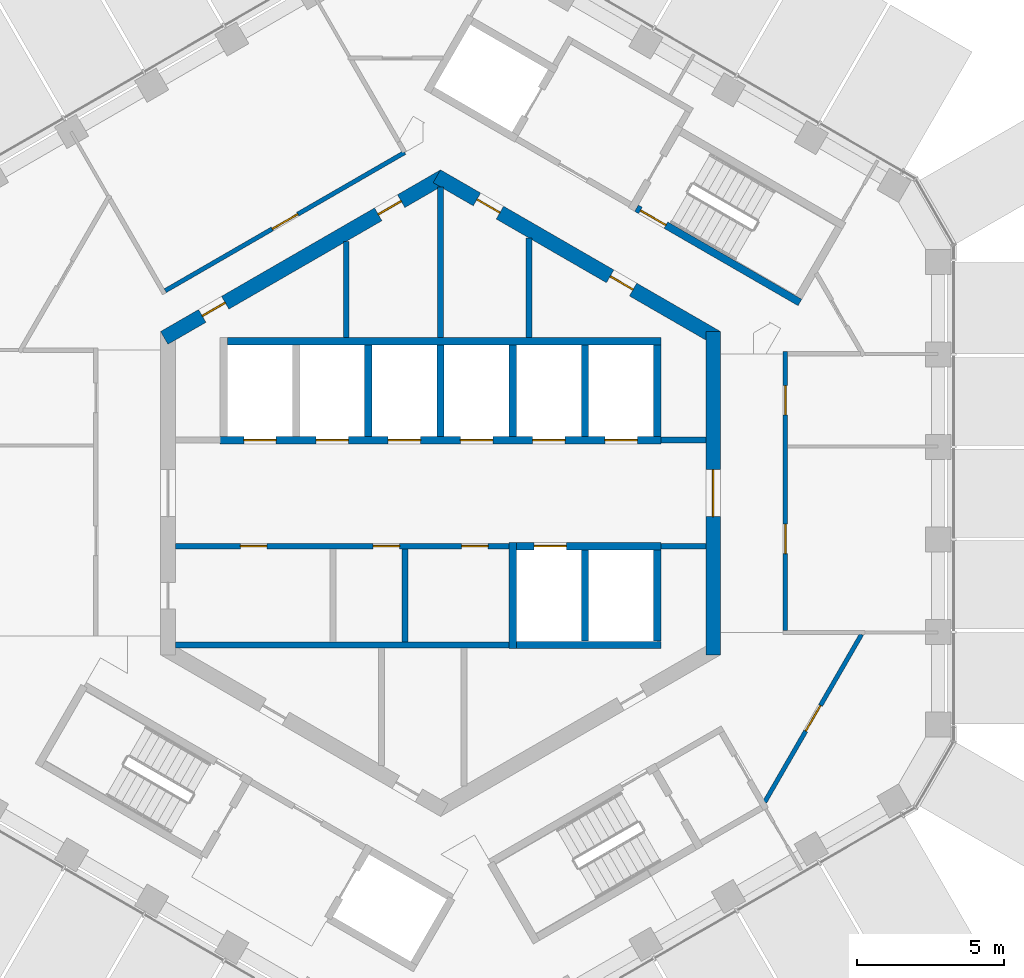
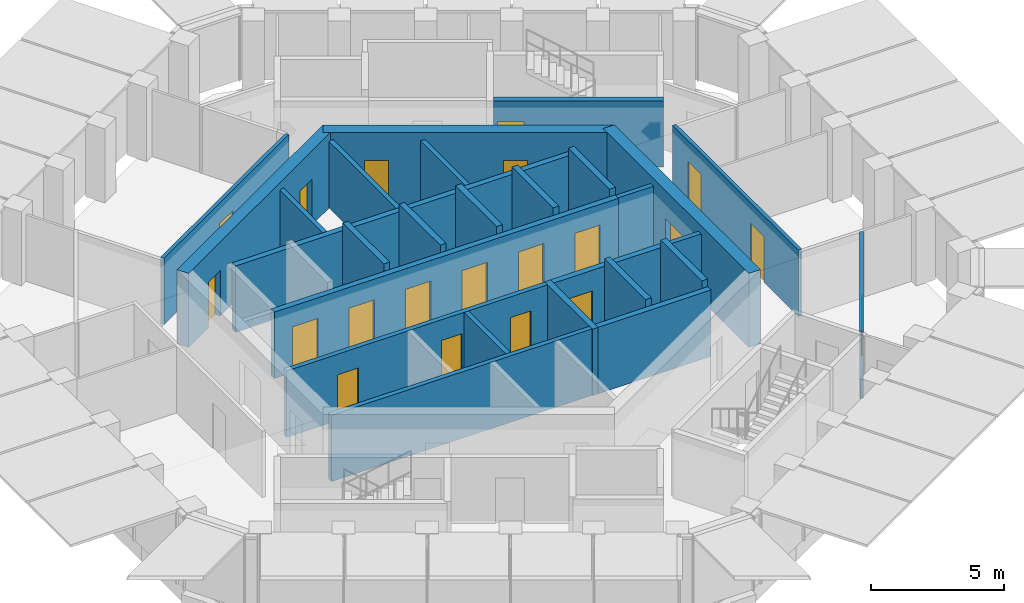
# One storey, part 13 of 17: 27 walls, 20 doors, 20 openings.
"""IFC4 building model written with IfcOpenShell, lengths in metres."""

from ifc_helpers import new_model, si_unit, direction, frame, frame_2d, origin, place, context, subcontext, project, spatial, rectangle, extrude, material, layer, layer_set, type_object, element, fill, save


model = new_model("IFC4")

# Units and contexts
model_context = context("Model", 3, precision=1e-05, world=origin(), true_north=direction((0.0, 1.0)))
body_context = subcontext(model_context, "Body", "Model", "MODEL_VIEW")
ifc_project = project(units=[si_unit("LENGTHUNIT", "METRE"), si_unit("AREAUNIT", "SQUARE_METRE"), si_unit("VOLUMEUNIT", "CUBIC_METRE"), si_unit("PLANEANGLEUNIT", "RADIAN"), si_unit("MASSUNIT", "GRAM", prefix="KILO")], contexts=[model_context])

# Site, building, storey
site_placement = place(None, origin())
site = spatial("IfcSite", under=ifc_project, at=site_placement, CompositionType="ELEMENT")
building_placement = place(site_placement, origin())
building = spatial("IfcBuilding", under=site, at=building_placement, Name="Ayvan Gate Tower", CompositionType="ELEMENT")
storey_placement = place(building_placement, frame((0.0, 0.0, 225.699951171875)))
storey = spatial("IfcBuildingStorey", under=building, at=storey_placement, Name="L60", CompositionType="ELEMENT", Elevation=225.699951171875)

# Wall, opening, door
ifc_material_1 = material(Name="Concrete C60/75", Category="concrete")
ifc_layer_1 = layer(ifc_material_1, 0.5)
ifc_layer_set_1 = layer_set([ifc_layer_1], Name="Concrete C60/75")
wall_type_1 = type_object("IfcWallType", Name="Core wall 500 C60/75", PredefinedType="SHEAR", material=ifc_layer_set_1)
wall_1_placement = place(storey_placement, frame((9.25, -5.48486328125, 0.0), z_axis=(0.0, 0.0, 1.0), x_axis=(0.0, 1.0, 0.0)))
wall_1 = element("IfcWall", 1, at=wall_1_placement, inside=storey, type_object=wall_type_1, Name="CORE-L60-0", PredefinedType="SHEAR", context=body_context, shape_type="SweptSolid", body=[
    extrude(rectangle(XDim=10.9697265625, YDim=0.5, at=frame_2d((5.48486328125, 0.0))), origin(), (0.0, 0.0, 1.0), 3.400146484375),
])
opening_1_placement = place(wall_1_placement, frame((4.684814453125, 0.0, 0.0)))
opening_1 = element("IfcOpeningElement", 2, at=opening_1_placement, cuts=wall_1, Name="Opening L60-D42", PredefinedType="OPENING", context=body_context, shape_type="SweptSolid", body=[
    extrude(rectangle(XDim=1.60009765625, YDim=2.10009765625, at=frame_2d((0.800048828125, 1.050048828125))), frame((0.0, 0.260009765625, 0.0), z_axis=(0.0, -1.0, 0.0), x_axis=(1.0, 0.0, 0.0)), (0.0, 0.0, 1.0), 0.52001953125),
])
ifc_material_2 = material(Name="Timber door leaf", Category="wood")
door_type_1 = type_object("IfcDoorType", Name="DT-1600", OperationType="NOTDEFINED", PredefinedType="DOOR", material=ifc_material_2)
door_1_placement = place(opening_1_placement, origin())
door_1 = element("IfcDoor", 3, at=door_1_placement, inside=storey, type_object=door_type_1, Name="CD-L60-42", OperationType="SINGLE_SWING_RIGHT", OverallHeight=2.10009765625, OverallWidth=1.60009765625, PredefinedType="DOOR", context=body_context, shape_type="SweptSolid", body=[
    extrude(rectangle(XDim=1.60009765625, YDim=2.10009765625, at=frame_2d((0.800048828125, 1.050048828125))), frame((0.0, 0.02490234375, 0.0), z_axis=(0.0, -1.0, 0.0), x_axis=(1.0, 0.0, 0.0)), (0.0, 0.0, 1.0), 0.050048828125),
])
fill(opening_1, door_1)

# Wall, openings, doors
wall_2_placement = place(storey_placement, frame((9.375, 5.268310546875, 0.0), z_axis=(0.0, 0.0, 1.0), x_axis=(-0.866023993627, 0.500002442456, 0.0)))
wall_2 = element("IfcWall", 4, at=wall_2_placement, inside=storey, type_object=wall_type_1, Name="CORE-L60-1", PredefinedType="SHEAR", context=body_context, shape_type="SweptSolid", body=[
    extrude(rectangle(XDim=10.9697265625, YDim=0.5, at=frame_2d((5.48486328125, 0.0))), origin(), (0.0, 0.0, 1.0), 3.400146484375),
])
opening_2_placement = place(wall_2_placement, frame((8.49951171875, 0.0, 0.0)))
opening_2 = element("IfcOpeningElement", 5, at=opening_2_placement, cuts=wall_2, Name="Opening L60-D36", PredefinedType="OPENING", context=body_context, shape_type="SweptSolid", body=[
    extrude(rectangle(XDim=0.89990234375, YDim=2.10009765625, at=frame_2d((0.449951171875, 1.050048828125))), frame((0.0, 0.260009765625, 0.0), z_axis=(0.0, -1.0, 0.0), x_axis=(1.0, 0.0, 0.0)), (0.0, 0.0, 1.0), 0.52001953125),
])
opening_3_placement = place(wall_2_placement, frame((3.2802734375, 0.0, 0.0)))
opening_3 = element("IfcOpeningElement", 6, at=opening_3_placement, cuts=wall_2, Name="Opening L60-D37", PredefinedType="OPENING", context=body_context, shape_type="SweptSolid", body=[
    extrude(rectangle(XDim=0.89990234375, YDim=2.10009765625, at=frame_2d((0.449951171875, 1.050048828125))), frame((0.0, 0.260009765625, 0.0), z_axis=(0.0, -1.0, 0.0), x_axis=(1.0, 0.0, 0.0)), (0.0, 0.0, 1.0), 0.52001953125),
])
door_type_2 = type_object("IfcDoorType", Name="DT-900", OperationType="NOTDEFINED", PredefinedType="DOOR", material=ifc_material_2)
door_2_placement = place(opening_2_placement, origin())
door_2 = element("IfcDoor", 7, at=door_2_placement, inside=storey, type_object=door_type_2, Name="CD-L60-36", OperationType="SINGLE_SWING_RIGHT", OverallHeight=2.10009765625, OverallWidth=0.89990234375, PredefinedType="DOOR", context=body_context, shape_type="SweptSolid", body=[
    extrude(rectangle(XDim=0.89990234375, YDim=2.10009765625, at=frame_2d((0.449951171875, 1.050048828125))), frame((0.0, 0.02490234375, 0.0), z_axis=(0.0, -1.0, 0.0), x_axis=(1.0, 0.0, 0.0)), (0.0, 0.0, 1.0), 0.050048828125),
])
fill(opening_2, door_2)
door_3_placement = place(opening_3_placement, origin())
door_3 = element("IfcDoor", 8, at=door_3_placement, inside=storey, type_object=door_type_2, Name="CD-L60-37", OperationType="SINGLE_SWING_LEFT", OverallHeight=2.10009765625, OverallWidth=0.89990234375, PredefinedType="DOOR", context=body_context, shape_type="SweptSolid", body=[
    extrude(rectangle(XDim=0.89990234375, YDim=2.10009765625, at=frame_2d((0.449951171875, 1.050048828125))), frame((0.0, 0.02490234375, 0.0), z_axis=(0.0, -1.0, 0.0), x_axis=(1.0, 0.0, 0.0)), (0.0, 0.0, 1.0), 0.050048828125),
])
fill(opening_3, door_3)

wall_3_placement = place(storey_placement, frame((0.125, 10.753173828125, 0.0), z_axis=(0.0, 0.0, 1.0), x_axis=(-0.866023993627, -0.500002442456, 0.0)))
wall_3 = element("IfcWall", 9, at=wall_3_placement, inside=storey, type_object=wall_type_1, Name="CORE-L60-2", PredefinedType="SHEAR", context=body_context, shape_type="SweptSolid", body=[
    extrude(rectangle(XDim=10.9697265625, YDim=0.5, at=frame_2d((5.48486328125, 0.0))), origin(), (0.0, 0.0, 1.0), 3.400146484375),
])
opening_4_placement = place(wall_3_placement, frame((8.580810546875, 0.0, 0.0)))
opening_4 = element("IfcOpeningElement", 10, at=opening_4_placement, cuts=wall_3, Name="Opening L60-D34", PredefinedType="OPENING", context=body_context, shape_type="SweptSolid", body=[
    extrude(rectangle(XDim=0.89990234375, YDim=2.10009765625, at=frame_2d((0.449951171875, 1.050048828125))), frame((0.0, 0.260009765625, 0.0), z_axis=(0.0, -1.0, 0.0), x_axis=(1.0, 0.0, 0.0)), (0.0, 0.0, 1.0), 0.52001953125),
])
opening_5_placement = place(wall_3_placement, frame((1.686767578125, 0.0, 0.0)))
opening_5 = element("IfcOpeningElement", 11, at=opening_5_placement, cuts=wall_3, Name="Opening L60-D35", PredefinedType="OPENING", context=body_context, shape_type="SweptSolid", body=[
    extrude(rectangle(XDim=0.89990234375, YDim=2.10009765625, at=frame_2d((0.449951171875, 1.050048828125))), frame((0.0, 0.260009765625, 0.0), z_axis=(0.0, -1.0, 0.0), x_axis=(1.0, 0.0, 0.0)), (0.0, 0.0, 1.0), 0.52001953125),
])
door_4_placement = place(opening_4_placement, origin())
door_4 = element("IfcDoor", 12, at=door_4_placement, inside=storey, type_object=door_type_2, Name="CD-L60-34", OperationType="SINGLE_SWING_RIGHT", OverallHeight=2.10009765625, OverallWidth=0.89990234375, PredefinedType="DOOR", context=body_context, shape_type="SweptSolid", body=[
    extrude(rectangle(XDim=0.89990234375, YDim=2.10009765625, at=frame_2d((0.449951171875, 1.050048828125))), frame((0.0, 0.02490234375, 0.0), z_axis=(0.0, -1.0, 0.0), x_axis=(1.0, 0.0, 0.0)), (0.0, 0.0, 1.0), 0.050048828125),
])
fill(opening_4, door_4)
door_5_placement = place(opening_5_placement, origin())
door_5 = element("IfcDoor", 13, at=door_5_placement, inside=storey, type_object=door_type_2, Name="CD-L60-35", OperationType="SINGLE_SWING_LEFT", OverallHeight=2.10009765625, OverallWidth=0.89990234375, PredefinedType="DOOR", context=body_context, shape_type="SweptSolid", body=[
    extrude(rectangle(XDim=0.89990234375, YDim=2.10009765625, at=frame_2d((0.449951171875, 1.050048828125))), frame((0.0, 0.02490234375, 0.0), z_axis=(0.0, -1.0, 0.0), x_axis=(1.0, 0.0, 0.0)), (0.0, 0.0, 1.0), 0.050048828125),
])
fill(opening_5, door_5)

# Wall, opening, door
ifc_material_3 = material(Name="Plasterboard on steel stud", Category="steel")
ifc_layer_2 = layer(ifc_material_3, 0.14990234375)
ifc_layer_set_2 = layer_set([ifc_layer_2], Name="Plasterboard on steel stud")
wall_type_2 = type_object("IfcWallType", Name="WT-CORR-150", PredefinedType="PARTITIONING", material=ifc_layer_set_2)
wall_4_placement = place(storey_placement, frame((-9.340087890625, 6.870361328125, 0.0), z_axis=(0.0, 0.0, 1.0), x_axis=(0.866023086118, 0.500004014295, 0.0)))
wall_4 = element("IfcWall", 14, at=wall_4_placement, inside=storey, type_object=wall_type_2, Name="IW-L60-009", PredefinedType="PARTITIONING", context=body_context, shape_type="SweptSolid", body=[
    extrude(rectangle(XDim=9.38232421875, YDim=0.14990234375, at=frame_2d((4.691162109375, 0.0))), origin(), (0.0, 0.0, 1.0), 3.050048828125),
])
opening_6_placement = place(wall_4_placement, frame((4.19091796875, 0.0, 0.0)))
opening_6 = element("IfcOpeningElement", 15, at=opening_6_placement, cuts=wall_4, Name="Opening L60-D33", PredefinedType="OPENING", context=body_context, shape_type="SweptSolid", body=[
    extrude(rectangle(XDim=1.0, YDim=2.10009765625, at=frame_2d((0.5, 1.050048828125))), frame((0.0, 0.0849609375, 0.0), z_axis=(0.0, -1.0, 0.0), x_axis=(1.0, 0.0, 0.0)), (0.0, 0.0, 1.0), 0.169921875),
])
door_type_3 = type_object("IfcDoorType", Name="DT-1000", OperationType="NOTDEFINED", PredefinedType="DOOR", material=ifc_material_2)
door_6_placement = place(opening_6_placement, origin())
door_6 = element("IfcDoor", 16, at=door_6_placement, inside=storey, type_object=door_type_3, Name="ID-L60-033", OperationType="SINGLE_SWING_LEFT", OverallHeight=2.10009765625, OverallWidth=1.0, PredefinedType="DOOR", context=body_context, shape_type="SweptSolid", body=[
    extrude(rectangle(XDim=1.0, YDim=2.10009765625, at=frame_2d((0.5, 1.050048828125))), frame((0.0, 0.02490234375, 0.0), z_axis=(0.0, -1.0, 0.0), x_axis=(1.0, 0.0, 0.0)), (0.0, 0.0, 1.0), 0.050048828125),
])
fill(opening_6, door_6)

# Wall, openings, doors
wall_5_placement = place(storey_placement, frame((11.699951171875, -4.653564453125, 0.0), z_axis=(0.0, 0.0, 1.0), x_axis=(0.0, 1.0, 0.0)))
wall_5 = element("IfcWall", 17, at=wall_5_placement, inside=storey, type_object=wall_type_2, Name="IW-L60-069", PredefinedType="PARTITIONING", context=body_context, shape_type="SweptSolid", body=[
    extrude(rectangle(XDim=9.45703125, YDim=0.14990234375, at=frame_2d((4.728515625, 0.0))), origin(), (0.0, 0.0, 1.0), 3.050048828125),
])
opening_7_placement = place(wall_5_placement, frame((2.599853515625, 0.0, 0.0)))
opening_7 = element("IfcOpeningElement", 18, at=opening_7_placement, cuts=wall_5, Name="Opening L60-D22", PredefinedType="OPENING", context=body_context, shape_type="SweptSolid", body=[
    extrude(rectangle(XDim=1.0, YDim=2.10009765625, at=frame_2d((0.5, 1.050048828125))), frame((0.0, 0.0849609375, 0.0), z_axis=(0.0, -1.0, 0.0), x_axis=(1.0, 0.0, 0.0)), (0.0, 0.0, 1.0), 0.169921875),
])
opening_8_placement = place(wall_5_placement, frame((7.305908203125, 0.0, 0.0)))
opening_8 = element("IfcOpeningElement", 19, at=opening_8_placement, cuts=wall_5, Name="Opening L60-D23", PredefinedType="OPENING", context=body_context, shape_type="SweptSolid", body=[
    extrude(rectangle(XDim=1.0, YDim=2.10009765625, at=frame_2d((0.5, 1.050048828125))), frame((0.0, 0.0849609375, 0.0), z_axis=(0.0, -1.0, 0.0), x_axis=(1.0, 0.0, 0.0)), (0.0, 0.0, 1.0), 0.169921875),
])
door_7_placement = place(opening_7_placement, origin())
door_7 = element("IfcDoor", 20, at=door_7_placement, inside=storey, type_object=door_type_3, Name="ID-L60-022", OperationType="SINGLE_SWING_RIGHT", OverallHeight=2.10009765625, OverallWidth=1.0, PredefinedType="DOOR", context=body_context, shape_type="SweptSolid", body=[
    extrude(rectangle(XDim=1.0, YDim=2.10009765625, at=frame_2d((0.5, 1.050048828125))), frame((0.0, 0.02490234375, 0.0), z_axis=(0.0, -1.0, 0.0), x_axis=(1.0, 0.0, 0.0)), (0.0, 0.0, 1.0), 0.050048828125),
])
fill(opening_7, door_7)
door_8_placement = place(opening_8_placement, origin())
door_8 = element("IfcDoor", 21, at=door_8_placement, inside=storey, type_object=door_type_3, Name="ID-L60-023", OperationType="SINGLE_SWING_LEFT", OverallHeight=2.10009765625, OverallWidth=1.0, PredefinedType="DOOR", context=body_context, shape_type="SweptSolid", body=[
    extrude(rectangle(XDim=1.0, YDim=2.10009765625, at=frame_2d((0.5, 1.050048828125))), frame((0.0, 0.02490234375, 0.0), z_axis=(0.0, -1.0, 0.0), x_axis=(1.0, 0.0, 0.0)), (0.0, 0.0, 1.0), 0.050048828125),
])
fill(opening_8, door_8)

# Wall, opening, door
wall_6_placement = place(storey_placement, frame((14.284423828125, -4.79345703125, 0.0), z_axis=(0.0, 0.0, 1.0), x_axis=(-0.500017439519, -0.866015334839, 0.0)))
wall_6 = element("IfcWall", 22, at=wall_6_placement, inside=storey, type_object=wall_type_2, Name="IW-L60-075", PredefinedType="PARTITIONING", context=body_context, shape_type="SweptSolid", body=[
    extrude(rectangle(XDim=6.567138671875, YDim=0.14990234375, at=frame_2d((3.28369140625, 0.0))), origin(), (0.0, 0.0, 1.0), 3.050048828125),
])
opening_9_placement = place(wall_6_placement, frame((2.78369140625, 0.0, 0.0)))
opening_9 = element("IfcOpeningElement", 23, at=opening_9_placement, cuts=wall_6, Name="Opening L60-D31", PredefinedType="OPENING", context=body_context, shape_type="SweptSolid", body=[
    extrude(rectangle(XDim=1.0, YDim=2.10009765625, at=frame_2d((0.5, 1.050048828125))), frame((0.0, 0.0849609375, 0.0), z_axis=(0.0, -1.0, 0.0), x_axis=(1.0, 0.0, 0.0)), (0.0, 0.0, 1.0), 0.169921875),
])
door_9_placement = place(opening_9_placement, origin())
door_9 = element("IfcDoor", 24, at=door_9_placement, inside=storey, type_object=door_type_3, Name="ID-L60-031", OperationType="SINGLE_SWING_LEFT", OverallHeight=2.10009765625, OverallWidth=1.0, PredefinedType="DOOR", context=body_context, shape_type="SweptSolid", body=[
    extrude(rectangle(XDim=1.0, YDim=2.10009765625, at=frame_2d((0.5, 1.050048828125))), frame((0.0, 0.02490234375, 0.0), z_axis=(0.0, -1.0, 0.0), x_axis=(1.0, 0.0, 0.0)), (0.0, 0.0, 1.0), 0.050048828125),
])
fill(opening_9, door_9)

# Wall
ifc_layer_3 = layer(ifc_material_3, 0.199951171875)
ifc_layer_set_3 = layer_set([ifc_layer_3], Name="Plasterboard on steel stud")
wall_type_3 = type_object("IfcWallType", Name="WT-RATED-200", PredefinedType="PARTITIONING", material=ifc_layer_set_3)
wall_7_placement = place(storey_placement, frame((-9.0, -5.14990234375, 0.0), z_axis=(0.0, 0.0, 1.0), x_axis=(1.0, 0.0, 0.0)))
element("IfcWall", 25, at=wall_7_placement, inside=storey, type_object=wall_type_3, Name="IW-L60-011", PredefinedType="PARTITIONING", context=body_context, shape_type="SweptSolid", body=[
    extrude(rectangle(XDim=11.3251953125, YDim=0.199951171875, at=frame_2d((5.66259765625, 0.0))), origin(), (0.0, 0.0, 1.0), 3.050048828125),
])

# Wall, openings, doors
wall_8_placement = place(storey_placement, frame((-9.0, -1.800048828125, 0.0), z_axis=(0.0, 0.0, 1.0), x_axis=(1.0, 0.0, 0.0)))
wall_8 = element("IfcWall", 26, at=wall_8_placement, inside=storey, type_object=wall_type_3, Name="IW-L60-020", PredefinedType="PARTITIONING", context=body_context, shape_type="SweptSolid", body=[
    extrude(rectangle(XDim=11.3251953125, YDim=0.199951171875, at=frame_2d((5.66259765625, 0.0))), origin(), (0.0, 0.0, 1.0), 3.050048828125),
])
opening_10_placement = place(wall_8_placement, frame((2.2099609375, 0.0, 0.0)))
opening_10 = element("IfcOpeningElement", 27, at=opening_10_placement, cuts=wall_8, Name="Opening L60-D08", PredefinedType="OPENING", context=body_context, shape_type="SweptSolid", body=[
    extrude(rectangle(XDim=0.89990234375, YDim=2.10009765625, at=frame_2d((0.449951171875, 1.050048828125))), frame((0.0, 0.10986328125, 0.0), z_axis=(0.0, -1.0, 0.0), x_axis=(1.0, 0.0, 0.0)), (0.0, 0.0, 1.0), 0.219970703125),
])
opening_11_placement = place(wall_8_placement, frame((6.7099609375, 0.0, 0.0)))
opening_11 = element("IfcOpeningElement", 28, at=opening_11_placement, cuts=wall_8, Name="Opening L60-D09", PredefinedType="OPENING", context=body_context, shape_type="SweptSolid", body=[
    extrude(rectangle(XDim=0.89990234375, YDim=2.10009765625, at=frame_2d((0.449951171875, 1.050048828125))), frame((0.0, 0.10986328125, 0.0), z_axis=(0.0, -1.0, 0.0), x_axis=(1.0, 0.0, 0.0)), (0.0, 0.0, 1.0), 0.219970703125),
])
opening_12_placement = place(wall_8_placement, frame((9.712646484375, 0.0, 0.0)))
opening_12 = element("IfcOpeningElement", 29, at=opening_12_placement, cuts=wall_8, Name="Opening L60-D10", PredefinedType="OPENING", context=body_context, shape_type="SweptSolid", body=[
    extrude(rectangle(XDim=0.89990234375, YDim=2.10009765625, at=frame_2d((0.449951171875, 1.050048828125))), frame((0.0, 0.10986328125, 0.0), z_axis=(0.0, -1.0, 0.0), x_axis=(1.0, 0.0, 0.0)), (0.0, 0.0, 1.0), 0.219970703125),
])
door_10_placement = place(opening_10_placement, origin())
door_10 = element("IfcDoor", 30, at=door_10_placement, inside=storey, type_object=door_type_2, Name="ID-L60-008", OperationType="SINGLE_SWING_RIGHT", OverallHeight=2.10009765625, OverallWidth=0.89990234375, PredefinedType="DOOR", context=body_context, shape_type="SweptSolid", body=[
    extrude(rectangle(XDim=0.89990234375, YDim=2.10009765625, at=frame_2d((0.449951171875, 1.050048828125))), frame((0.0, 0.02490234375, 0.0), z_axis=(0.0, -1.0, 0.0), x_axis=(1.0, 0.0, 0.0)), (0.0, 0.0, 1.0), 0.050048828125),
])
fill(opening_10, door_10)
door_11_placement = place(opening_11_placement, origin())
door_11 = element("IfcDoor", 31, at=door_11_placement, inside=storey, type_object=door_type_2, Name="ID-L60-009", OperationType="SINGLE_SWING_LEFT", OverallHeight=2.10009765625, OverallWidth=0.89990234375, PredefinedType="DOOR", context=body_context, shape_type="SweptSolid", body=[
    extrude(rectangle(XDim=0.89990234375, YDim=2.10009765625, at=frame_2d((0.449951171875, 1.050048828125))), frame((0.0, 0.02490234375, 0.0), z_axis=(0.0, -1.0, 0.0), x_axis=(1.0, 0.0, 0.0)), (0.0, 0.0, 1.0), 0.050048828125),
])
fill(opening_11, door_11)
door_12_placement = place(opening_12_placement, origin())
door_12 = element("IfcDoor", 32, at=door_12_placement, inside=storey, type_object=door_type_2, Name="ID-L60-010", OperationType="SINGLE_SWING_RIGHT", OverallHeight=2.10009765625, OverallWidth=0.89990234375, PredefinedType="DOOR", context=body_context, shape_type="SweptSolid", body=[
    extrude(rectangle(XDim=0.89990234375, YDim=2.10009765625, at=frame_2d((0.449951171875, 1.050048828125))), frame((0.0, 0.02490234375, 0.0), z_axis=(0.0, -1.0, 0.0), x_axis=(1.0, 0.0, 0.0)), (0.0, 0.0, 1.0), 0.050048828125),
])
fill(opening_12, door_12)

# Walls
wall_9_placement = place(storey_placement, frame((-3.199951171875, 8.544921875, 0.0), z_axis=(0.0, 0.0, 1.0), x_axis=(0.0, -1.0, 0.0)))
element("IfcWall", 33, at=wall_9_placement, inside=storey, type_object=wall_type_3, Name="IW-L60-021", PredefinedType="PARTITIONING", context=body_context, shape_type="SweptSolid", body=[
    extrude(rectangle(XDim=3.27001953125, YDim=0.199951171875, at=frame_2d((1.635009765625, 0.0))), origin(), (0.0, 0.0, 1.0), 3.050048828125),
])
wall_10_placement = place(storey_placement, frame((-1.199951171875, -1.89990234375, 0.0), z_axis=(0.0, 0.0, 1.0), x_axis=(0.0, -1.0, 0.0)))
element("IfcWall", 34, at=wall_10_placement, inside=storey, type_object=wall_type_3, Name="IW-L60-030", PredefinedType="PARTITIONING", context=body_context, shape_type="SweptSolid", body=[
    extrude(rectangle(XDim=3.150146484375, YDim=0.199951171875, at=frame_2d((1.5751953125, 0.0))), origin(), (0.0, 0.0, 1.0), 3.050048828125),
])
wall_11_placement = place(storey_placement, frame((0.0, 10.392333984375, 0.0), z_axis=(0.0, 0.0, 1.0), x_axis=(0.0, -1.0, 0.0)))
element("IfcWall", 35, at=wall_11_placement, inside=storey, type_object=wall_type_3, Name="IW-L60-034", PredefinedType="PARTITIONING", context=body_context, shape_type="SweptSolid", body=[
    extrude(rectangle(XDim=5.117431640625, YDim=0.199951171875, at=frame_2d((2.55859375, 0.0))), origin(), (0.0, 0.0, 1.0), 3.050048828125),
])
wall_12_placement = place(storey_placement, frame((3.0, 8.660400390625, 0.0), z_axis=(0.0, 0.0, 1.0), x_axis=(0.0, -1.0, 0.0)))
element("IfcWall", 36, at=wall_12_placement, inside=storey, type_object=wall_type_3, Name="IW-L60-044", PredefinedType="PARTITIONING", context=body_context, shape_type="SweptSolid", body=[
    extrude(rectangle(XDim=3.385498046875, YDim=0.199951171875, at=frame_2d((1.69287109375, 0.0))), origin(), (0.0, 0.0, 1.0), 3.050048828125),
])
for number, where, z_axis, x_axis, name in (
    (37, (7.474853515625, 1.800048828125, 0.0), (0.0, 0.0, 1.0), (1.0, 0.0, 0.0), "IW-L60-057"),
    (38, (9.0, -1.800048828125, 0.0), (0.0, 0.0, 1.0), (-1.0, 0.0, 0.0), "IW-L60-064"),
):
    element("IfcWall", number, at=place(storey_placement, frame(where, z_axis=z_axis, x_axis=x_axis)), inside=storey, type_object=wall_type_3, Name=name, PredefinedType="PARTITIONING", context=body_context, shape_type="SweptSolid", body=[
        extrude(rectangle(XDim=1.525146484375, YDim=0.199951171875, at=frame_2d((0.7626953125, 0.0))), origin(), (0.0, 0.0, 1.0), 3.050048828125),
    ])

# Wall, openings, doors
ifc_material_4 = material(Name="Concrete C50/60", Category="concrete")
ifc_layer_4 = layer(ifc_material_4, 0.25)
ifc_layer_set_4 = layer_set([ifc_layer_4], Name="Concrete C50/60")
wall_type_4 = type_object("IfcWallType", Name="WT-RC-250", PredefinedType="SHEAR", material=ifc_layer_set_4)
wall_13_placement = place(storey_placement, frame((-7.47509765625, 1.800048828125, 0.0), z_axis=(0.0, 0.0, 1.0), x_axis=(1.0, 0.0, 0.0)))
wall_13 = element("IfcWall", 39, at=wall_13_placement, inside=storey, type_object=wall_type_4, Name="IW-L60-013", PredefinedType="SHEAR", context=body_context, shape_type="SweptSolid", body=[
    extrude(rectangle(XDim=14.9501953125, YDim=0.25, at=frame_2d((7.47509765625, 0.0))), origin(), (0.0, 0.0, 1.0), 3.050048828125),
])
opening_13_placement = place(wall_13_placement, frame((0.800048828125, 0.0, 0.0)))
opening_13 = element("IfcOpeningElement", 40, at=opening_13_placement, cuts=wall_13, Name="Opening L60-LD-HR1", PredefinedType="OPENING", context=body_context, shape_type="SweptSolid", body=[
    extrude(rectangle(XDim=1.10009765625, YDim=2.10009765625, at=frame_2d((0.550048828125, 1.050048828125))), frame((0.0, 0.135009765625, 0.0), z_axis=(0.0, -1.0, 0.0), x_axis=(1.0, 0.0, 0.0)), (0.0, 0.0, 1.0), 0.27001953125),
])
opening_14_placement = place(wall_13_placement, frame((3.25, 0.0, 0.0)))
opening_14 = element("IfcOpeningElement", 41, at=opening_14_placement, cuts=wall_13, Name="Opening L60-LD-HR2", PredefinedType="OPENING", context=body_context, shape_type="SweptSolid", body=[
    extrude(rectangle(XDim=1.10009765625, YDim=2.10009765625, at=frame_2d((0.550048828125, 1.050048828125))), frame((0.0, 0.135009765625, 0.0), z_axis=(0.0, -1.0, 0.0), x_axis=(1.0, 0.0, 0.0)), (0.0, 0.0, 1.0), 0.27001953125),
])
opening_15_placement = place(wall_13_placement, frame((5.7001953125, 0.0, 0.0)))
opening_15 = element("IfcOpeningElement", 42, at=opening_15_placement, cuts=wall_13, Name="Opening L60-LD-HR3", PredefinedType="OPENING", context=body_context, shape_type="SweptSolid", body=[
    extrude(rectangle(XDim=1.10009765625, YDim=2.10009765625, at=frame_2d((0.550048828125, 1.050048828125))), frame((0.0, 0.135009765625, 0.0), z_axis=(0.0, -1.0, 0.0), x_axis=(1.0, 0.0, 0.0)), (0.0, 0.0, 1.0), 0.27001953125),
])
opening_16_placement = place(wall_13_placement, frame((8.150146484375, 0.0, 0.0)))
opening_16 = element("IfcOpeningElement", 43, at=opening_16_placement, cuts=wall_13, Name="Opening L60-LD-HR4", PredefinedType="OPENING", context=body_context, shape_type="SweptSolid", body=[
    extrude(rectangle(XDim=1.10009765625, YDim=2.10009765625, at=frame_2d((0.550048828125, 1.050048828125))), frame((0.0, 0.135009765625, 0.0), z_axis=(0.0, -1.0, 0.0), x_axis=(1.0, 0.0, 0.0)), (0.0, 0.0, 1.0), 0.27001953125),
])
opening_17_placement = place(wall_13_placement, frame((10.60009765625, 0.0, 0.0)))
opening_17 = element("IfcOpeningElement", 44, at=opening_17_placement, cuts=wall_13, Name="Opening L60-LD-HR5", PredefinedType="OPENING", context=body_context, shape_type="SweptSolid", body=[
    extrude(rectangle(XDim=1.10009765625, YDim=2.10009765625, at=frame_2d((0.550048828125, 1.050048828125))), frame((0.0, 0.135009765625, 0.0), z_axis=(0.0, -1.0, 0.0), x_axis=(1.0, 0.0, 0.0)), (0.0, 0.0, 1.0), 0.27001953125),
])
opening_18_placement = place(wall_13_placement, frame((13.050048828125, 0.0, 0.0)))
opening_18 = element("IfcOpeningElement", 45, at=opening_18_placement, cuts=wall_13, Name="Opening L60-LD-HR6", PredefinedType="OPENING", context=body_context, shape_type="SweptSolid", body=[
    extrude(rectangle(XDim=1.10009765625, YDim=2.10009765625, at=frame_2d((0.550048828125, 1.050048828125))), frame((0.0, 0.135009765625, 0.0), z_axis=(0.0, -1.0, 0.0), x_axis=(1.0, 0.0, 0.0)), (0.0, 0.0, 1.0), 0.27001953125),
])
ifc_material_5 = material(Name="Stainless steel landing door", Category="steel")
door_type_4 = type_object("IfcDoorType", Name="DT-LANDING-1100", OperationType="SLIDING_TO_LEFT", PredefinedType="DOOR", material=ifc_material_5)
door_13_placement = place(opening_13_placement, origin())
door_13 = element("IfcDoor", 46, at=door_13_placement, inside=storey, type_object=door_type_4, Name="ID-L60-001", OperationType="SLIDING_TO_LEFT", OverallHeight=2.10009765625, OverallWidth=1.10009765625, PredefinedType="DOOR", context=body_context, shape_type="SweptSolid", body=[
    extrude(rectangle(XDim=1.10009765625, YDim=2.10009765625, at=frame_2d((0.550048828125, 1.050048828125))), frame((0.0, 0.02490234375, 0.0), z_axis=(0.0, -1.0, 0.0), x_axis=(1.0, 0.0, 0.0)), (0.0, 0.0, 1.0), 0.050048828125),
])
fill(opening_13, door_13)
door_14_placement = place(opening_14_placement, origin())
door_14 = element("IfcDoor", 47, at=door_14_placement, inside=storey, type_object=door_type_4, Name="ID-L60-002", OperationType="SLIDING_TO_LEFT", OverallHeight=2.10009765625, OverallWidth=1.10009765625, PredefinedType="DOOR", context=body_context, shape_type="SweptSolid", body=[
    extrude(rectangle(XDim=1.10009765625, YDim=2.10009765625, at=frame_2d((0.550048828125, 1.050048828125))), frame((0.0, 0.02490234375, 0.0), z_axis=(0.0, -1.0, 0.0), x_axis=(1.0, 0.0, 0.0)), (0.0, 0.0, 1.0), 0.050048828125),
])
fill(opening_14, door_14)
door_15_placement = place(opening_15_placement, origin())
door_15 = element("IfcDoor", 48, at=door_15_placement, inside=storey, type_object=door_type_4, Name="ID-L60-003", OperationType="SLIDING_TO_LEFT", OverallHeight=2.10009765625, OverallWidth=1.10009765625, PredefinedType="DOOR", context=body_context, shape_type="SweptSolid", body=[
    extrude(rectangle(XDim=1.10009765625, YDim=2.10009765625, at=frame_2d((0.550048828125, 1.050048828125))), frame((0.0, 0.02490234375, 0.0), z_axis=(0.0, -1.0, 0.0), x_axis=(1.0, 0.0, 0.0)), (0.0, 0.0, 1.0), 0.050048828125),
])
fill(opening_15, door_15)
door_16_placement = place(opening_16_placement, origin())
door_16 = element("IfcDoor", 49, at=door_16_placement, inside=storey, type_object=door_type_4, Name="ID-L60-004", OperationType="SLIDING_TO_LEFT", OverallHeight=2.10009765625, OverallWidth=1.10009765625, PredefinedType="DOOR", context=body_context, shape_type="SweptSolid", body=[
    extrude(rectangle(XDim=1.10009765625, YDim=2.10009765625, at=frame_2d((0.550048828125, 1.050048828125))), frame((0.0, 0.02490234375, 0.0), z_axis=(0.0, -1.0, 0.0), x_axis=(1.0, 0.0, 0.0)), (0.0, 0.0, 1.0), 0.050048828125),
])
fill(opening_16, door_16)
door_17_placement = place(opening_17_placement, origin())
door_17 = element("IfcDoor", 50, at=door_17_placement, inside=storey, type_object=door_type_4, Name="ID-L60-005", OperationType="SLIDING_TO_LEFT", OverallHeight=2.10009765625, OverallWidth=1.10009765625, PredefinedType="DOOR", context=body_context, shape_type="SweptSolid", body=[
    extrude(rectangle(XDim=1.10009765625, YDim=2.10009765625, at=frame_2d((0.550048828125, 1.050048828125))), frame((0.0, 0.02490234375, 0.0), z_axis=(0.0, -1.0, 0.0), x_axis=(1.0, 0.0, 0.0)), (0.0, 0.0, 1.0), 0.050048828125),
])
fill(opening_17, door_17)
door_18_placement = place(opening_18_placement, origin())
door_18 = element("IfcDoor", 51, at=door_18_placement, inside=storey, type_object=door_type_4, Name="ID-L60-006", OperationType="SLIDING_TO_LEFT", OverallHeight=2.10009765625, OverallWidth=1.10009765625, PredefinedType="DOOR", context=body_context, shape_type="SweptSolid", body=[
    extrude(rectangle(XDim=1.10009765625, YDim=2.10009765625, at=frame_2d((0.550048828125, 1.050048828125))), frame((0.0, 0.02490234375, 0.0), z_axis=(0.0, -1.0, 0.0), x_axis=(1.0, 0.0, 0.0)), (0.0, 0.0, 1.0), 0.050048828125),
])
fill(opening_18, door_18)

# Walls
wall_14_placement = place(storey_placement, frame((-7.22509765625, 5.14990234375, 0.0), z_axis=(0.0, 0.0, 1.0), x_axis=(1.0, 0.0, 0.0)))
element("IfcWall", 52, at=wall_14_placement, inside=storey, type_object=wall_type_4, Name="IW-L60-015", PredefinedType="SHEAR", context=body_context, shape_type="SweptSolid", body=[
    extrude(rectangle(XDim=14.7001953125, YDim=0.25, at=frame_2d((7.35009765625, 0.0))), origin(), (0.0, 0.0, 1.0), 3.050048828125),
])
for number, where, z_axis, x_axis, name in (
    (53, (-2.449951171875, 5.02490234375, 0.0), (0.0, 0.0, 1.0), (0.0, -1.0, 0.0), "IW-L60-026"),
    (54, (0.0, 5.02490234375, 0.0), (0.0, 0.0, 1.0), (0.0, -1.0, 0.0), "IW-L60-033"),
):
    element("IfcWall", number, at=place(storey_placement, frame(where, z_axis=z_axis, x_axis=x_axis)), inside=storey, type_object=wall_type_4, Name=name, PredefinedType="SHEAR", context=body_context, shape_type="SweptSolid", body=[
        extrude(rectangle(XDim=3.099853515625, YDim=0.25, at=frame_2d((1.5498046875, 0.0))), origin(), (0.0, 0.0, 1.0), 3.400146484375),
    ])
wall_15_placement = place(storey_placement, frame((2.449951171875, -5.27490234375, 0.0), z_axis=(0.0, 0.0, 1.0), x_axis=(0.0, 1.0, 0.0)))
element("IfcWall", 55, at=wall_15_placement, inside=storey, type_object=wall_type_4, Name="IW-L60-040", PredefinedType="SHEAR", context=body_context, shape_type="SweptSolid", body=[
    extrude(rectangle(XDim=3.599853515625, YDim=0.25, at=frame_2d((1.7998046875, 0.0))), origin(), (0.0, 0.0, 1.0), 3.050048828125),
])
wall_16_placement = place(storey_placement, frame((2.449951171875, 5.02490234375, 0.0), z_axis=(0.0, 0.0, 1.0), x_axis=(0.0, -1.0, 0.0)))
element("IfcWall", 56, at=wall_16_placement, inside=storey, type_object=wall_type_4, Name="IW-L60-041", PredefinedType="SHEAR", context=body_context, shape_type="SweptSolid", body=[
    extrude(rectangle(XDim=3.099853515625, YDim=0.25, at=frame_2d((1.5498046875, 0.0))), origin(), (0.0, 0.0, 1.0), 3.400146484375),
])
wall_17_placement = place(storey_placement, frame((2.574951171875, -5.14990234375, 0.0), z_axis=(0.0, 0.0, 1.0), x_axis=(1.0, 0.0, 0.0)))
element("IfcWall", 57, at=wall_17_placement, inside=storey, type_object=wall_type_4, Name="IW-L60-048", PredefinedType="SHEAR", context=body_context, shape_type="SweptSolid", body=[
    extrude(rectangle(XDim=4.900146484375, YDim=0.25, at=frame_2d((2.4501953125, 0.0))), origin(), (0.0, 0.0, 1.0), 3.050048828125),
])
for number, where, z_axis, x_axis, name in (
    (58, (4.89990234375, -1.925048828125, 0.0), (0.0, 0.0, 1.0), (0.0, -1.0, 0.0), "IW-L60-049"),
    (59, (4.89990234375, 5.02490234375, 0.0), (0.0, 0.0, 1.0), (0.0, -1.0, 0.0), "IW-L60-050"),
):
    element("IfcWall", number, at=place(storey_placement, frame(where, z_axis=z_axis, x_axis=x_axis)), inside=storey, type_object=wall_type_4, Name=name, PredefinedType="SHEAR", context=body_context, shape_type="SweptSolid", body=[
        extrude(rectangle(XDim=3.099853515625, YDim=0.25, at=frame_2d((1.5498046875, 0.0))), origin(), (0.0, 0.0, 1.0), 3.400146484375),
    ])

# Wall, opening, door
wall_18_placement = place(storey_placement, frame((2.574951171875, -1.800048828125, 0.0), z_axis=(0.0, 0.0, 1.0), x_axis=(1.0, 0.0, 0.0)))
wall_18 = element("IfcWall", 60, at=wall_18_placement, inside=storey, type_object=wall_type_4, Name="IW-L60-051", PredefinedType="SHEAR", context=body_context, shape_type="SweptSolid", body=[
    extrude(rectangle(XDim=4.900146484375, YDim=0.25, at=frame_2d((2.4501953125, 0.0))), origin(), (0.0, 0.0, 1.0), 3.050048828125),
])
opening_19_placement = place(wall_18_placement, frame((0.597412109375, 0.0, 0.0)))
opening_19 = element("IfcOpeningElement", 61, at=opening_19_placement, cuts=wall_18, Name="Opening L60-LD-SV", PredefinedType="OPENING", context=body_context, shape_type="SweptSolid", body=[
    extrude(rectangle(XDim=1.10009765625, YDim=2.10009765625, at=frame_2d((0.550048828125, 1.050048828125))), frame((0.0, 0.135009765625, 0.0), z_axis=(0.0, -1.0, 0.0), x_axis=(1.0, 0.0, 0.0)), (0.0, 0.0, 1.0), 0.27001953125),
])
door_19_placement = place(opening_19_placement, origin())
door_19 = element("IfcDoor", 62, at=door_19_placement, inside=storey, type_object=door_type_4, Name="ID-L60-007", OperationType="SLIDING_TO_LEFT", OverallHeight=2.10009765625, OverallWidth=1.10009765625, PredefinedType="DOOR", context=body_context, shape_type="SweptSolid", body=[
    extrude(rectangle(XDim=1.10009765625, YDim=2.10009765625, at=frame_2d((0.550048828125, 1.050048828125))), frame((0.0, 0.02490234375, 0.0), z_axis=(0.0, -1.0, 0.0), x_axis=(1.0, 0.0, 0.0)), (0.0, 0.0, 1.0), 0.050048828125),
])
fill(opening_19, door_19)

# Walls
for number, where, z_axis, x_axis, name in (
    (63, (7.35009765625, -1.925048828125, 0.0), (0.0, 0.0, 1.0), (0.0, -1.0, 0.0), "IW-L60-058"),
    (64, (7.35009765625, 5.02490234375, 0.0), (0.0, 0.0, 1.0), (0.0, -1.0, 0.0), "IW-L60-059"),
):
    element("IfcWall", number, at=place(storey_placement, frame(where, z_axis=z_axis, x_axis=x_axis)), inside=storey, type_object=wall_type_4, Name=name, PredefinedType="SHEAR", context=body_context, shape_type="SweptSolid", body=[
        extrude(rectangle(XDim=3.099853515625, YDim=0.25, at=frame_2d((1.5498046875, 0.0))), origin(), (0.0, 0.0, 1.0), 3.400146484375),
    ])

# Wall, opening, door
wall_19_placement = place(storey_placement, frame((12.193603515625, 6.469970703125, 0.0), z_axis=(0.0, 0.0, 1.0), x_axis=(-0.866025499775, 0.499999833739, 0.0)))
wall_19 = element("IfcWall", 65, at=wall_19_placement, inside=storey, type_object=wall_type_4, Name="IW-L60-071", PredefinedType="SHEAR", context=body_context, shape_type="SweptSolid", body=[
    extrude(rectangle(XDim=6.39990234375, YDim=0.25, at=frame_2d((3.199951171875, 0.0))), origin(), (0.0, 0.0, 1.0), 3.050048828125),
])
opening_20_placement = place(wall_19_placement, frame((5.25, 0.0, 0.0)))
opening_20 = element("IfcOpeningElement", 66, at=opening_20_placement, cuts=wall_19, Name="Opening L60-D11", PredefinedType="OPENING", context=body_context, shape_type="SweptSolid", body=[
    extrude(rectangle(XDim=1.0, YDim=2.10009765625, at=frame_2d((0.5, 1.050048828125))), frame((0.0, 0.135009765625, 0.0), z_axis=(0.0, -1.0, 0.0), x_axis=(1.0, 0.0, 0.0)), (0.0, 0.0, 1.0), 0.27001953125),
])
door_20_placement = place(opening_20_placement, origin())
door_20 = element("IfcDoor", 67, at=door_20_placement, inside=storey, type_object=door_type_3, Name="ID-L60-011", OperationType="SINGLE_SWING_LEFT", OverallHeight=2.10009765625, OverallWidth=1.0, PredefinedType="DOOR", context=body_context, shape_type="SweptSolid", body=[
    extrude(rectangle(XDim=1.0, YDim=2.10009765625, at=frame_2d((0.5, 1.050048828125))), frame((0.0, 0.02490234375, 0.0), z_axis=(0.0, -1.0, 0.0), x_axis=(1.0, 0.0, 0.0)), (0.0, 0.0, 1.0), 0.050048828125),
])
fill(opening_20, door_20)

save(model, "model.ifc")
